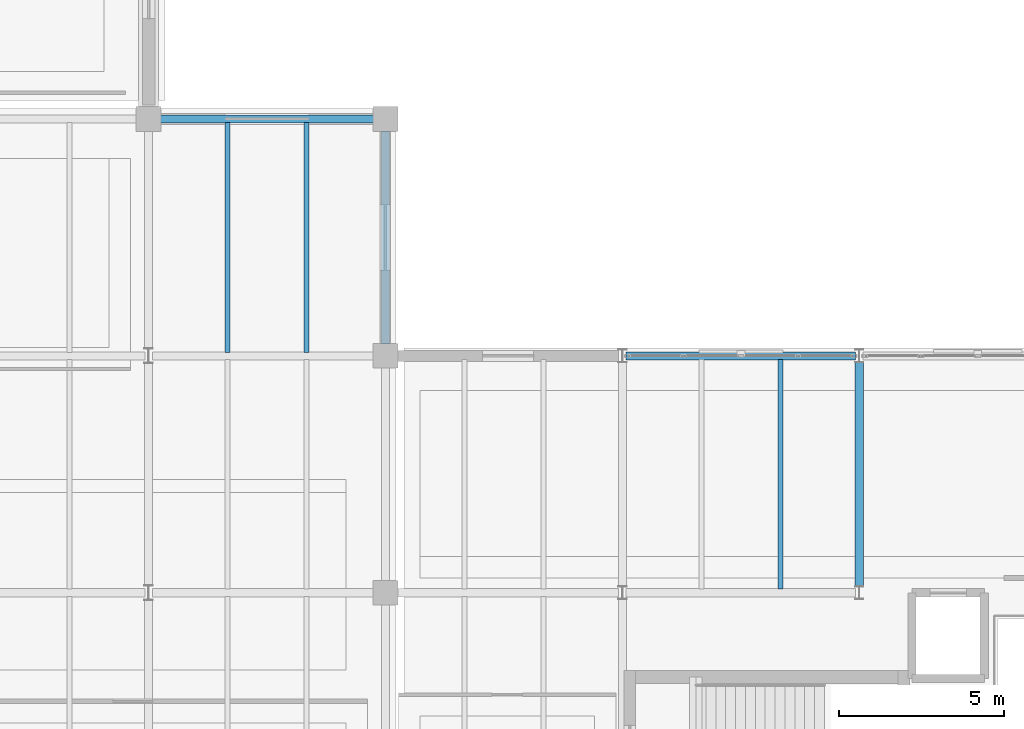
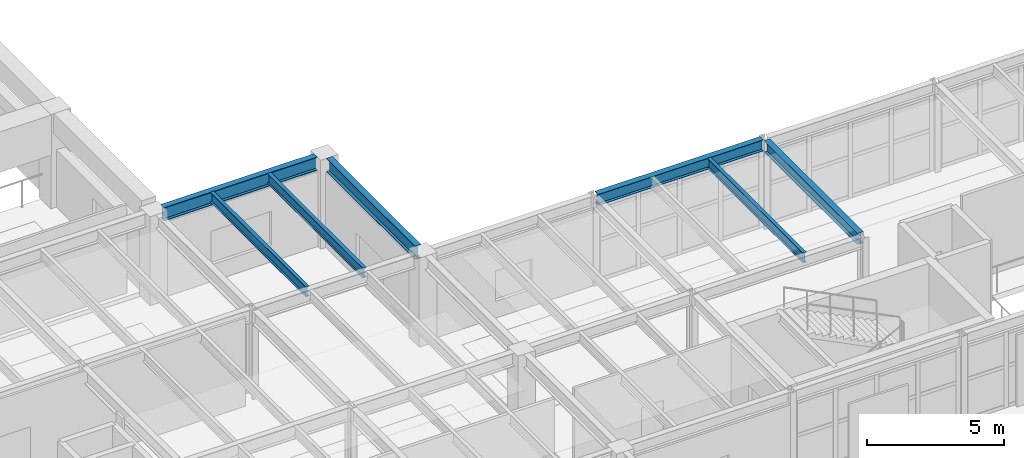
# One storey, part 16 of 37: 7 beams.
"""IFC4 building model written with IfcOpenShell, lengths in metres."""

from ifc_helpers import new_model, si_unit, direction, frame, origin, origin_2d, place, context, subcontext, project, spatial, i_section, extrude, material, material_profile, profile_set, type_object, element, save


model = new_model("IFC4")

# Units and contexts
model_context = context("Model", 3, precision=1e-05, world=origin(), true_north=direction((0.0, 1.0)))
body_context = subcontext(model_context, "Body", "Model", "MODEL_VIEW")
ifc_project = project(units=[si_unit("LENGTHUNIT", "METRE"), si_unit("AREAUNIT", "SQUARE_METRE"), si_unit("VOLUMEUNIT", "CUBIC_METRE"), si_unit("PLANEANGLEUNIT", "RADIAN"), si_unit("MASSUNIT", "GRAM", prefix="KILO")], contexts=[model_context])

# Site, building, storey
site_placement = place(None, origin())
site = spatial("IfcSite", under=ifc_project, at=site_placement, CompositionType="ELEMENT")
building_placement = place(site_placement, origin())
building = spatial("IfcBuilding", under=site, at=building_placement, Name="Kandorven Conservatory and Botanical Research Centre", CompositionType="ELEMENT")
storey_placement = place(building_placement, frame((0.0, 0.0, 9.0)))
storey = spatial("IfcBuildingStorey", under=building, at=storey_placement, Name="L02", CompositionType="ELEMENT", Elevation=9.0)

# Beams
ifc_material_1 = material(Name="Steel S355 (IS 2062 E350)", Category="steel")
ifc_material_profile_1 = material_profile(ifc_material_1, i_section(OverallWidth=0.25, OverallDepth=0.60009765625, WebThickness=0.01171875, FlangeThickness=0.023681640625, at=origin_2d()))
ifc_profile_set_1 = profile_set([ifc_material_profile_1], Name="Steel S355 (IS 2062 E350)")
beam_type_1 = type_object("IfcBeamType", Name="Beam_FG-01", PredefinedType="USERDEFINED", material=ifc_profile_set_1)
for number, where, z_axis, x_axis, name in (
    (1, (35.1650390625, 34.800048828125, 3.659912109375), (1.0, 0.0, 0.0), (0.0, 1.0, 0.0), "Primary girder FG-01 TWR L02"),
    (2, (42.0, 27.965087890625, 3.659912109375), (0.0, 1.0, 0.0), (-1.0, 0.0, 0.0), "Primary girder FG-01 TWR L02"),
):
    element("IfcBeam", number, at=place(storey_placement, frame(where, z_axis=z_axis, x_axis=x_axis)), inside=storey, type_object=beam_type_1, Name=name, ObjectType="GIRDER", PredefinedType="USERDEFINED", context=body_context, shape_type="SweptSolid", body=[
        extrude(i_section(OverallWidth=0.25, OverallDepth=0.60009765625, WebThickness=0.01171875, FlangeThickness=0.023681640625, at=origin_2d()), origin(), (0.0, 0.0, 1.0), 6.469970703125),
    ])
ifc_material_2 = material(Name="Steel S355 (IS 2062 E350)", Category="steel")
ifc_material_profile_2 = material_profile(ifc_material_2, i_section(OverallWidth=0.25, OverallDepth=0.5, WebThickness=0.010009765625, FlangeThickness=0.0146484375, at=origin_2d()))
ifc_profile_set_2 = profile_set([ifc_material_profile_2], Name="Steel S355 (IS 2062 E350)")
beam_type_2 = type_object("IfcBeamType", Name="Beam_FG-02", PredefinedType="USERDEFINED", material=ifc_profile_set_2)
beam_1_placement = place(storey_placement, frame((49.31494140625, 27.60009765625, 3.7099609375), z_axis=(1.0, 0.0, 0.0), x_axis=(0.0, 1.0, 0.0)))
element("IfcBeam", 3, at=beam_1_placement, inside=storey, type_object=beam_type_2, Name="Primary girder FG-02 VIS L02", ObjectType="GIRDER", PredefinedType="USERDEFINED", context=body_context, shape_type="SweptSolid", body=[
    extrude(i_section(OverallWidth=0.25, OverallDepth=0.5, WebThickness=0.010009765625, FlangeThickness=0.0146484375, at=origin_2d()), origin(), (0.0, 0.0, 1.0), 6.969970703125),
])
beam_2_placement = place(storey_placement, frame((56.39990234375, 20.590087890625, 3.7099609375), z_axis=(0.0, 1.0, 0.0), x_axis=(-1.0, 0.0, 0.0)))
element("IfcBeam", 4, at=beam_2_placement, inside=storey, type_object=beam_type_2, Name="Primary girder FG-02 VIS L02", ObjectType="GIRDER", PredefinedType="USERDEFINED", context=body_context, shape_type="SweptSolid", body=[
    extrude(i_section(OverallWidth=0.25, OverallDepth=0.5, WebThickness=0.010009765625, FlangeThickness=0.0146484375, at=origin_2d()), origin(), (0.0, 0.0, 1.0), 6.81982421875),
])
ifc_material_3 = material(Name="Steel S355 (IS 2062 E350)", Category="steel")
ifc_material_profile_3 = material_profile(ifc_material_3, i_section(OverallWidth=0.14990234375, OverallDepth=0.449951171875, WebThickness=0.009521484375, FlangeThickness=0.017333984375, at=origin_2d()))
ifc_profile_set_3 = profile_set([ifc_material_profile_3], Name="Steel S355 (IS 2062 E350)")
beam_type_3 = type_object("IfcBeamType", Name="Beam_SB-04", PredefinedType="BEAM", material=ifc_profile_set_3)
for number, where, z_axis, x_axis, name in (
    (5, (37.199951171875, 27.7099609375, 3.735107421875), (0.0, 1.0, 0.0), (-1.0, 0.0, 0.0), "Composite secondary beam SB-04 TWR L02"),
    (6, (39.60009765625, 27.7099609375, 3.735107421875), (0.0, 1.0, 0.0), (-1.0, 0.0, 0.0), "Composite secondary beam SB-04 TWR L02"),
    (7, (54.0, 20.510009765625, 3.735107421875), (0.0, 1.0, 0.0), (-1.0, 0.0, 0.0), "Composite secondary beam SB-04 VIS L02"),
):
    element("IfcBeam", number, at=place(storey_placement, frame(where, z_axis=z_axis, x_axis=x_axis)), inside=storey, type_object=beam_type_3, Name=name, PredefinedType="BEAM", context=body_context, shape_type="SweptSolid", body=[
        extrude(i_section(OverallWidth=0.14990234375, OverallDepth=0.449951171875, WebThickness=0.009521484375, FlangeThickness=0.017333984375, at=origin_2d()), origin(), (0.0, 0.0, 1.0), 6.97998046875),
    ])

save(model, "model.ifc")
